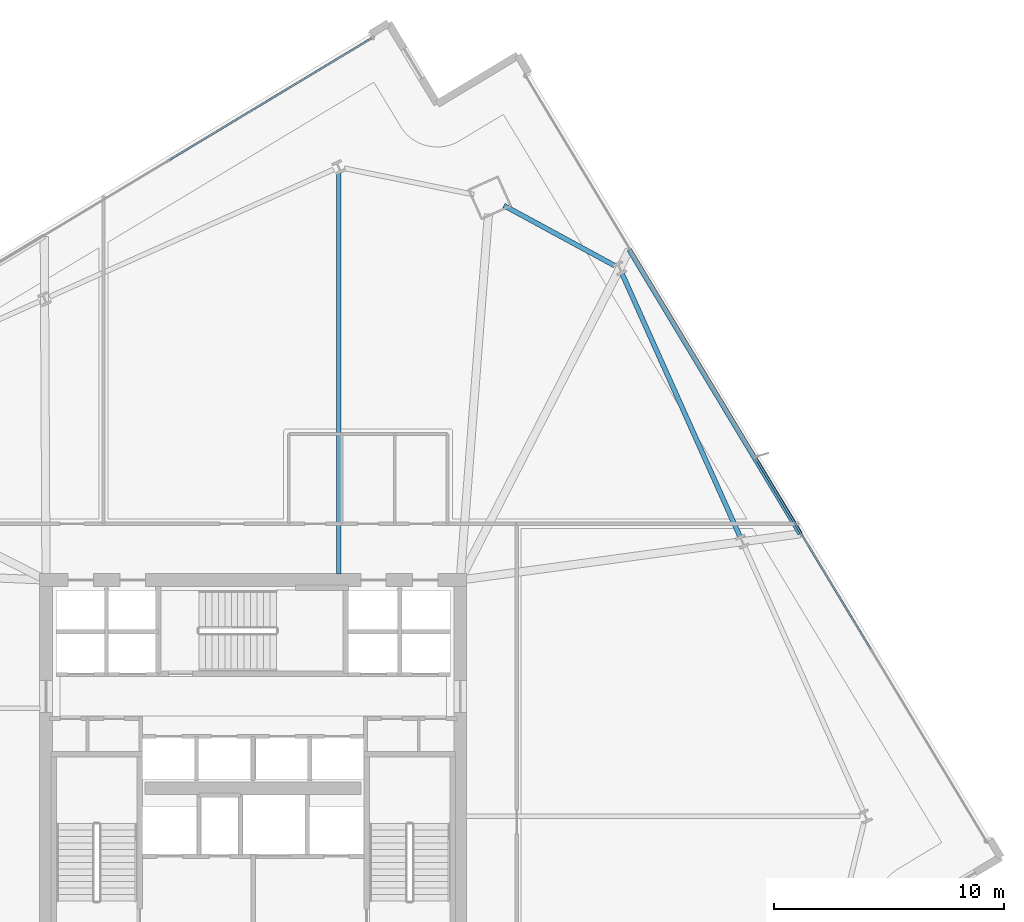
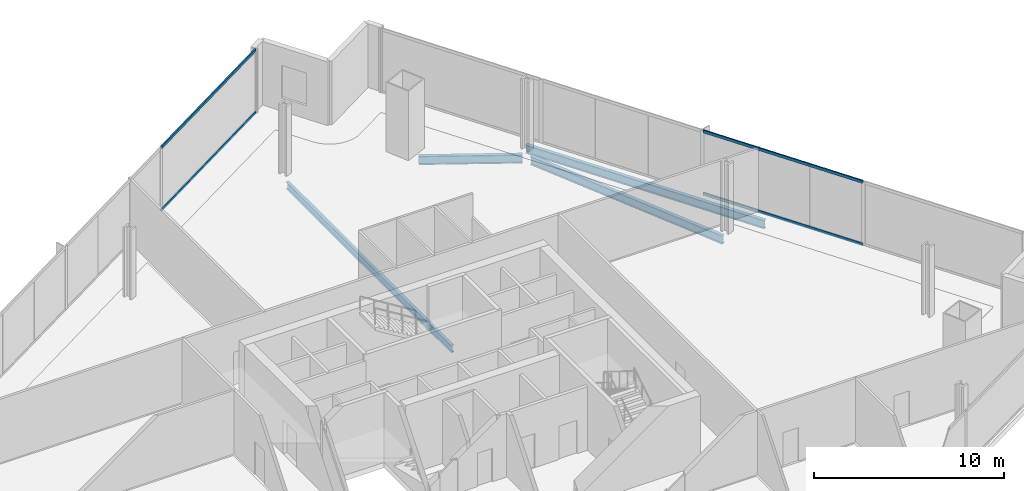
# One storey, part 18 of 30: 4 beams, 4 members, 2 elements without a shape of their own.
"""IFC4 building model written with IfcOpenShell, lengths in metres."""

from ifc_helpers import new_model, si_unit, direction, frame, origin, origin_2d, place, context, subcontext, project, spatial, hollow_rectangle, i_section, extrude, material, material_profile, profile_set, type_object, element, aggregate, save


model = new_model("IFC4")

# Units and contexts
model_context = context("Model", 3, precision=1e-05, world=origin(), true_north=direction((0.0, 1.0)))
body_context = subcontext(model_context, "Body", "Model", "MODEL_VIEW")
ifc_project = project(units=[si_unit("LENGTHUNIT", "METRE"), si_unit("AREAUNIT", "SQUARE_METRE"), si_unit("VOLUMEUNIT", "CUBIC_METRE"), si_unit("PLANEANGLEUNIT", "RADIAN"), si_unit("MASSUNIT", "GRAM", prefix="KILO")], contexts=[model_context])

# Site, building, storey
site_placement = place(None, origin())
site = spatial("IfcSite", under=ifc_project, at=site_placement, CompositionType="ELEMENT")
building_placement = place(site_placement, origin())
building = spatial("IfcBuilding", under=site, at=building_placement, Name="Haldenkirk Collegiate Tower", CompositionType="ELEMENT")
storey_placement = place(building_placement, frame((0.0, 0.0, 131.699951171875)))
storey = spatial("IfcBuildingStorey", under=building, at=storey_placement, Name="L32", CompositionType="ELEMENT", Elevation=131.699951171875)

# Beams
ifc_material_1 = material(Name="Steel ASTM A992 Grade 50", Category="steel")
ifc_material_profile_1 = material_profile(ifc_material_1, i_section(OverallWidth=0.19189453125, OverallDepth=0.462890625, WebThickness=0.010498046875, FlangeThickness=0.017578125, at=origin_2d()), Name="W18X60")
ifc_profile_set_1 = profile_set([ifc_material_profile_1], Name="Steel ASTM A992 Grade 50")
beam_type_1 = type_object("IfcBeamType", Name="BM-JOIST-W18X60", PredefinedType="JOIST", material=ifc_profile_set_1)
beam_1_placement = place(storey_placement, frame((39.71630859375, 51.6953125, -0.58154296875), z_axis=(0.0, -1.0, 0.0), x_axis=(1.0, 0.0, 0.0)))
element("IfcBeam", 1, at=beam_1_placement, inside=storey, type_object=beam_type_1, Name="L32 composite floor joist 11", PredefinedType="JOIST", context=body_context, shape_type="SweptSolid", body=[
    extrude(i_section(OverallWidth=0.19189453125, OverallDepth=0.462890625, WebThickness=0.010498046875, FlangeThickness=0.017578125, at=origin_2d()), origin(), (0.0, 0.0, 1.0), 17.4404296875),
])
ifc_material_profile_2 = material_profile(ifc_material_1, i_section(OverallWidth=0.2119140625, OverallDepth=0.5439453125, WebThickness=0.01318359375, FlangeThickness=0.021240234375, at=origin_2d()), Name="W21X83")
ifc_profile_set_2 = profile_set([ifc_material_profile_2], Name="Steel ASTM A992 Grade 50")
beam_type_2 = type_object("IfcBeamType", Name="BM-SPANDREL-W21X83", PredefinedType="SPANDREL", material=ifc_profile_set_2)
beam_2_placement = place(storey_placement, frame((57.15478515625, 35.89111328125, -0.6220703125), z_axis=(-0.409131464477, 0.912475448861, 0.0), x_axis=(-0.912475448861, -0.409131464477, 0.0)))
element("IfcBeam", 2, at=beam_2_placement, inside=storey, type_object=beam_type_2, Name="L32 perimeter spandrel beam 07", PredefinedType="SPANDREL", context=body_context, shape_type="SweptSolid", body=[
    extrude(i_section(OverallWidth=0.2119140625, OverallDepth=0.5439453125, WebThickness=0.01318359375, FlangeThickness=0.021240234375, at=origin_2d()), origin(), (0.0, 0.0, 1.0), 12.524169921875),
])
beam_3_placement = place(storey_placement, frame((51.714599609375, 47.66015625, -0.6220703125), z_axis=(-0.878835810931, 0.477124320723, 0.0), x_axis=(-0.477124320723, -0.878835810931, 0.0)))
element("IfcBeam", 3, at=beam_3_placement, inside=storey, type_object=beam_type_2, Name="L32 perimeter spandrel beam 08", PredefinedType="SPANDREL", context=body_context, shape_type="SweptSolid", body=[
    extrude(i_section(OverallWidth=0.2119140625, OverallDepth=0.5439453125, WebThickness=0.01318359375, FlangeThickness=0.021240234375, at=origin_2d()), origin(), (0.0, 0.0, 1.0), 5.477783203125),
])
beam_4_placement = place(storey_placement, frame((59.7734375, 36.009765625, -0.6220703125), z_axis=(-0.515793719723, 0.856712809928, 0.0), x_axis=(-0.856712809928, -0.515793719723, 0.0)))
element("IfcBeam", 4, at=beam_4_placement, inside=storey, type_object=beam_type_2, Name="L32 outer facade edge beam 2", PredefinedType="SPANDREL", context=body_context, shape_type="SweptSolid", body=[
    extrude(i_section(OverallWidth=0.2119140625, OverallDepth=0.5439453125, WebThickness=0.01318359375, FlangeThickness=0.021240234375, at=origin_2d()), origin(), (0.0, 0.0, 1.0), 14.40478515625),
])

# Curtain wall, members
ifc_material_2 = material(Name="Anodised architectural bronze aluminium", Category="aluminium")
curtain_wall_type = type_object("IfcCurtainWallType", Name="CW-SYS1-CONVEX-LOW", PredefinedType="USERDEFINED", material=ifc_material_2)
curtain_wall_1_placement = place(storey_placement, origin())
curtain_wall_1 = element("IfcCurtainWall", 5, at=curtain_wall_1_placement, inside=storey, type_object=curtain_wall_type, Name="L32 Lower tower convex bronze-framed unitised curtain wall", ObjectType="UNITISED CURTAIN WALL", PredefinedType="USERDEFINED")
ifc_material_profile_3 = material_profile(ifc_material_2, hollow_rectangle(XDim=0.080078125, YDim=0.179931640625, WallThickness=0.0048828125, at=origin_2d()), Name="CW-TRN-1A")
ifc_profile_set_3 = profile_set([ifc_material_profile_3], Name="Anodised architectural bronze aluminium")
member_type = type_object("IfcMemberType", Name="CW-TRN-1A", PredefinedType="USERDEFINED", material=ifc_profile_set_3)
member_1_placement = place(storey_placement, frame((57.868896484375, 39.250732421875, 0.0400390625), z_axis=(0.515783997323, -0.856718663334, 0.0), x_axis=(0.856718663334, 0.515783997323, 0.0)))
member_1 = element("IfcMember", 6, at=member_1_placement, type_object=member_type, Name="CW-1A transom 3.1", ObjectType="TRANSOM", PredefinedType="USERDEFINED", context=body_context, shape_type="SweptSolid", body=[
    extrude(hollow_rectangle(XDim=0.080078125, YDim=0.179931640625, WallThickness=0.0048828125, at=origin_2d()), origin(), (0.0, 0.0, 1.0), 9.638671875),
])
member_2_placement = place(storey_placement, frame((57.868896484375, 39.250732421875, 4.06005859375), z_axis=(0.515783997323, -0.856718663334, 0.0), x_axis=(0.856718663334, 0.515783997323, 0.0)))
member_2 = element("IfcMember", 7, at=member_2_placement, type_object=member_type, Name="CW-1A transom 3.2", ObjectType="TRANSOM", PredefinedType="USERDEFINED", context=body_context, shape_type="SweptSolid", body=[
    extrude(hollow_rectangle(XDim=0.080078125, YDim=0.179931640625, WallThickness=0.0048828125, at=origin_2d()), origin(), (0.0, 0.0, 1.0), 9.638671875),
])
aggregate(curtain_wall_1, [member_1, member_2])

curtain_wall_2_placement = place(storey_placement, origin())
curtain_wall_2 = element("IfcCurtainWall", 8, at=curtain_wall_2_placement, inside=storey, type_object=curtain_wall_type, Name="L32 Lower tower convex bronze-framed unitised curtain wall", ObjectType="UNITISED CURTAIN WALL", PredefinedType="USERDEFINED")
member_3_placement = place(storey_placement, frame((32.35302734375, 52.250244140625, 0.0400390625), z_axis=(0.856721034293, 0.515780059133, 0.0), x_axis=(-0.515780059133, 0.856721034293, 0.0)))
member_3 = element("IfcMember", 9, at=member_3_placement, type_object=member_type, Name="CW-1A transom 4.1", ObjectType="TRANSOM", PredefinedType="USERDEFINED", context=body_context, shape_type="SweptSolid", body=[
    extrude(hollow_rectangle(XDim=0.080078125, YDim=0.179931640625, WallThickness=0.0048828125, at=origin_2d()), origin(), (0.0, 0.0, 1.0), 10.2548828125),
])
member_4_placement = place(storey_placement, frame((32.35302734375, 52.250244140625, 4.06005859375), z_axis=(0.856721034293, 0.515780059133, 0.0), x_axis=(-0.515780059133, 0.856721034293, 0.0)))
member_4 = element("IfcMember", 10, at=member_4_placement, type_object=member_type, Name="CW-1A transom 4.2", ObjectType="TRANSOM", PredefinedType="USERDEFINED", context=body_context, shape_type="SweptSolid", body=[
    extrude(hollow_rectangle(XDim=0.080078125, YDim=0.179931640625, WallThickness=0.0048828125, at=origin_2d()), origin(), (0.0, 0.0, 1.0), 10.2548828125),
])
aggregate(curtain_wall_2, [member_3, member_4])

save(model, "model.ifc")
